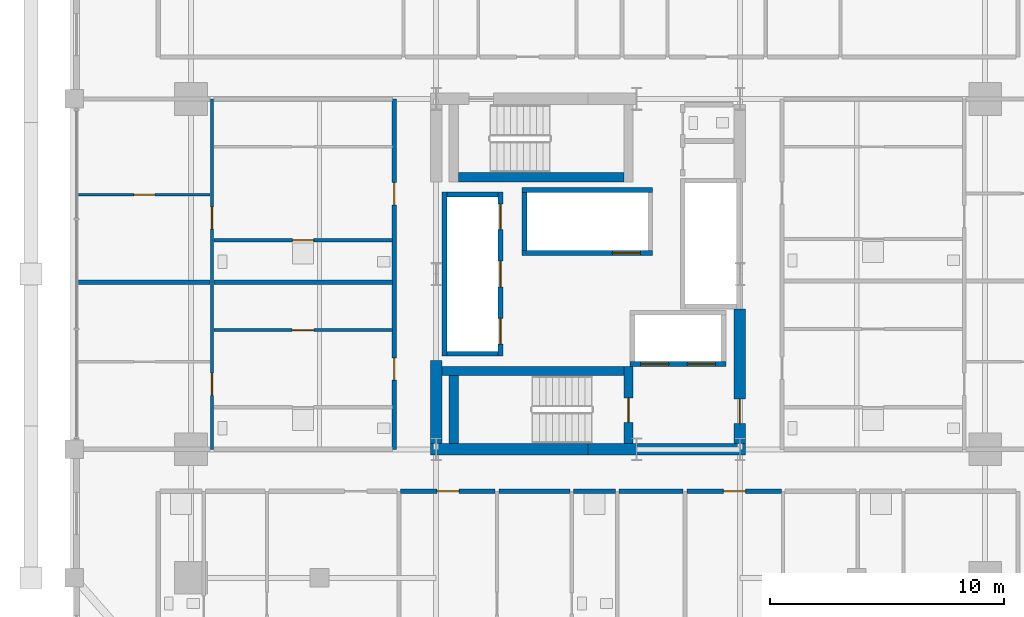
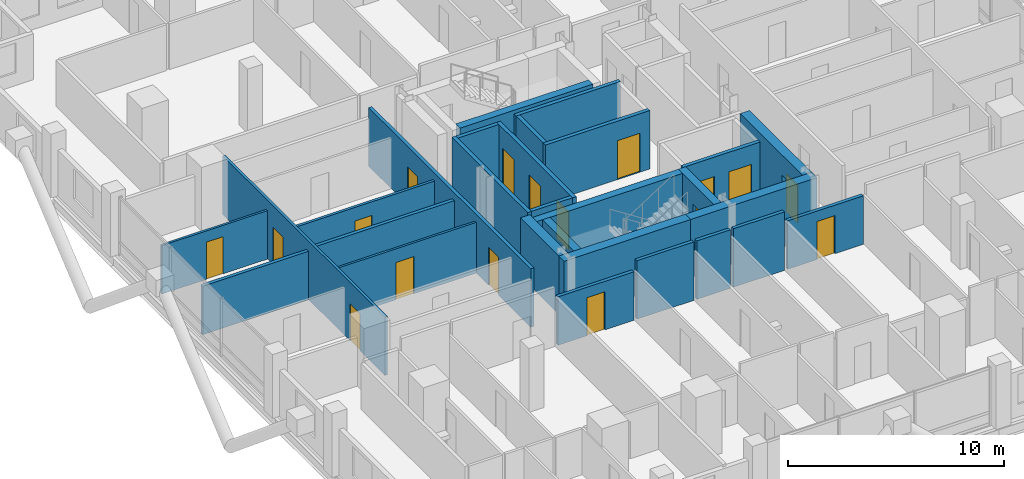
# One storey, part 18 of 24: 28 walls, 17 doors, 17 openings.
"""IFC4 building model written with IfcOpenShell, lengths in metres."""

from ifc_helpers import new_model, si_unit, direction, frame, frame_2d, origin, place, context, subcontext, project, spatial, rectangle, extrude, material, layer, layer_set, type_object, element, fill, save


model = new_model("IFC4")

# Units and contexts
model_context = context("Model", 3, precision=1e-05, world=origin(), true_north=direction((0.0, 1.0)))
body_context = subcontext(model_context, "Body", "Model", "MODEL_VIEW")
ifc_project = project(units=[si_unit("LENGTHUNIT", "METRE"), si_unit("AREAUNIT", "SQUARE_METRE"), si_unit("VOLUMEUNIT", "CUBIC_METRE"), si_unit("PLANEANGLEUNIT", "RADIAN"), si_unit("MASSUNIT", "GRAM", prefix="KILO")], contexts=[model_context])

# Site, building, storey
site_placement = place(None, origin())
site = spatial("IfcSite", under=ifc_project, at=site_placement, CompositionType="ELEMENT")
building_placement = place(site_placement, origin())
building = spatial("IfcBuilding", under=site, at=building_placement, Name="Barlavira Tower and Art Museum", CompositionType="ELEMENT")
storey_placement = place(building_placement, frame((0.0, 0.0, 90.0)))
storey = spatial("IfcBuildingStorey", under=building, at=storey_placement, Name="L22", CompositionType="ELEMENT", Elevation=90.0)

# Wall, opening, door
ifc_material_1 = material(Name="Gypsum acoustic stud partition", Category="gypsum")
ifc_layer_1 = layer(ifc_material_1, 0.1201171875, Name="Gypsum acoustic stud partition")
ifc_layer_set_1 = layer_set([ifc_layer_1], Name="Gypsum acoustic stud partition")
wall_type_1 = type_object("IfcWallType", Name="Apartment Internal Acoustic Partition 120", PredefinedType="PARTITIONING", material=ifc_layer_set_1)
wall_1_placement = place(storey_placement, frame((-16.02001953125, -2.39990234375, 0.0), z_axis=(0.0, 0.0, 1.0), x_axis=(1.0, 0.0, 0.0)))
wall_1 = element("IfcWall", 1, at=wall_1_placement, inside=storey, type_object=wall_type_1, Name="L22 Partition Wall 66", PredefinedType="PARTITIONING", context=body_context, shape_type="SweptSolid", body=[
    extrude(rectangle(XDim=7.64013671875, YDim=0.1201171875, at=frame_2d((3.820068359375, 0.0))), origin(), (0.0, 0.0, 1.0), 2.867919921875),
])
opening_1_placement = place(wall_1_placement, frame((3.344970703125, 0.0, 0.0)))
opening_1 = element("IfcOpeningElement", 2, at=opening_1_placement, cuts=wall_1, Name="Opening D-02", PredefinedType="OPENING", context=body_context, shape_type="SweptSolid", body=[
    extrude(rectangle(XDim=0.949951171875, YDim=2.10009765625, at=frame_2d((0.47509765625, 1.050048828125))), frame((0.0, 0.070068359375, 0.0), z_axis=(0.0, -1.0, 0.0), x_axis=(1.0, 0.0, 0.0)), (0.0, 0.0, 1.0), 0.14013671875),
])
ifc_material_2 = material(Name="Engineered coastal hardwood", Category="wood")
door_type_1 = type_object("IfcDoorType", Name="Living and Salon Glazed-Leaf Door 950x2100", OperationType="NOTDEFINED", PredefinedType="DOOR", material=ifc_material_2)
door_1_placement = place(opening_1_placement, origin())
door_1 = element("IfcDoor", 3, at=door_1_placement, inside=storey, type_object=door_type_1, Name="Apartment W1 Kitchen Door", OperationType="SINGLE_SWING_RIGHT", OverallHeight=2.10009765625, OverallWidth=0.949951171875, PredefinedType="DOOR", context=body_context, shape_type="SweptSolid", body=[
    extrude(rectangle(XDim=0.949951171875, YDim=2.10009765625, at=frame_2d((0.47509765625, 1.050048828125))), frame((0.0, 0.02490234375, 0.0), z_axis=(0.0, -1.0, 0.0), x_axis=(1.0, 0.0, 0.0)), (0.0, 0.0, 1.0), 0.050048828125),
])
fill(opening_1, door_1)

wall_2_placement = place(storey_placement, frame((-21.820068359375, 3.39990234375, 0.0), z_axis=(0.0, 0.0, 1.0), x_axis=(1.0, 0.0, 0.0)))
wall_2 = element("IfcWall", 4, at=wall_2_placement, inside=storey, type_object=wall_type_1, Name="L22 Partition Wall 74", PredefinedType="PARTITIONING", context=body_context, shape_type="SweptSolid", body=[
    extrude(rectangle(XDim=5.64013671875, YDim=0.1201171875, at=frame_2d((2.820068359375, 0.0))), origin(), (0.0, 0.0, 1.0), 2.736083984375),
])
opening_2_placement = place(wall_2_placement, frame((2.3701171875, 0.0, 0.0)))
opening_2 = element("IfcOpeningElement", 5, at=opening_2_placement, cuts=wall_2, Name="Opening D-01", PredefinedType="OPENING", context=body_context, shape_type="SweptSolid", body=[
    extrude(rectangle(XDim=0.89990234375, YDim=2.10009765625, at=frame_2d((0.449951171875, 1.050048828125))), frame((0.0, 0.070068359375, 0.0), z_axis=(0.0, -1.0, 0.0), x_axis=(1.0, 0.0, 0.0)), (0.0, 0.0, 1.0), 0.14013671875),
])
door_type_2 = type_object("IfcDoorType", Name="Internal Bedroom Timber Flush Door 900x2100", OperationType="NOTDEFINED", PredefinedType="DOOR", material=ifc_material_2)
door_2_placement = place(opening_2_placement, origin())
door_2 = element("IfcDoor", 6, at=door_2_placement, inside=storey, type_object=door_type_2, Name="Apartment W2 Bedroom 1 Door", OperationType="SINGLE_SWING_LEFT", OverallHeight=2.10009765625, OverallWidth=0.89990234375, PredefinedType="DOOR", context=body_context, shape_type="SweptSolid", body=[
    extrude(rectangle(XDim=0.89990234375, YDim=2.10009765625, at=frame_2d((0.449951171875, 1.050048828125))), frame((0.0, 0.02490234375, 0.0), z_axis=(0.0, -1.0, 0.0), x_axis=(1.0, 0.0, 0.0)), (0.0, 0.0, 1.0), 0.050048828125),
])
fill(opening_2, door_2)

# Walls
ifc_material_3 = material(Name="Concrete C60", Category="concrete")
ifc_layer_2 = layer(ifc_material_3, 0.5, Name="Concrete C60")
ifc_layer_set_2 = layer_set([ifc_layer_2], Name="Concrete C60")
wall_type_2 = type_object("IfcWallType", Name="Core Structural Shear Wall 500 Concrete C60", PredefinedType="SHEAR", material=ifc_layer_set_2)
for number, where, z_axis, x_axis, name in (
    (7, (-6.75, -7.5, 0.0), (0.0, 0.0, 1.0), (1.0, 0.0, 0.0), "L22 Core Shear Wall CS-SW"),
    (8, (0.0, -7.5, 0.0), (0.0, 0.0, 1.0), (1.0, 0.0, 0.0), "L22 Core Shear Wall CS-SE"),
):
    element("IfcWall", number, at=place(storey_placement, frame(where, z_axis=z_axis, x_axis=x_axis)), inside=storey, type_object=wall_type_2, Name=name, PredefinedType="SHEAR", context=body_context, shape_type="SweptSolid", body=[
        extrude(rectangle(XDim=6.75, YDim=0.5, at=frame_2d((3.375, 0.0))), origin(), (0.0, 0.0, 1.0), 3.300048828125),
    ])
wall_3_placement = place(storey_placement, frame((-6.5, -7.25, 0.0), z_axis=(0.0, 0.0, 1.0), x_axis=(0.0, 1.0, 0.0)))
element("IfcWall", 9, at=wall_3_placement, inside=storey, type_object=wall_type_2, Name="L22 Core Shear Wall CS-W1", PredefinedType="SHEAR", context=body_context, shape_type="SweptSolid", body=[
    extrude(rectangle(XDim=3.550048828125, YDim=0.5, at=frame_2d((1.77490234375, 0.0))), origin(), (0.0, 0.0, 1.0), 3.300048828125),
])

# Wall, opening, door
wall_4_placement = place(storey_placement, frame((6.5, -7.25, 0.0), z_axis=(0.0, 0.0, 1.0), x_axis=(0.0, 1.0, 0.0)))
wall_4 = element("IfcWall", 10, at=wall_4_placement, inside=storey, type_object=wall_type_2, Name="L22 Core Shear Wall CS-E1", PredefinedType="SHEAR", context=body_context, shape_type="SweptSolid", body=[
    extrude(rectangle(XDim=5.75, YDim=0.5, at=frame_2d((2.875, 0.0))), origin(), (0.0, 0.0, 1.0), 3.300048828125),
])
opening_3_placement = place(wall_4_placement, frame((0.85009765625, 0.0, 0.0)))
opening_3 = element("IfcOpeningElement", 11, at=opening_3_placement, cuts=wall_4, Name="Opening FD-90", PredefinedType="OPENING", context=body_context, shape_type="SweptSolid", body=[
    extrude(rectangle(XDim=1.050048828125, YDim=2.14990234375, at=frame_2d((0.52490234375, 1.074951171875))), frame((0.0, 0.260009765625, 0.0), z_axis=(0.0, -1.0, 0.0), x_axis=(1.0, 0.0, 0.0)), (0.0, 0.0, 1.0), 0.52001953125),
])
ifc_material_4 = material(Name="Brushed stainless steel", Category="steel")
door_type_3 = type_object("IfcDoorType", Name="Stair and Refuge Fire Door 1050x2150 FD90S", OperationType="NOTDEFINED", PredefinedType="DOOR", material=ifc_material_4)
door_3_placement = place(opening_3_placement, origin())
door_3 = element("IfcDoor", 12, at=door_3_placement, inside=storey, type_object=door_type_3, Name="L22 Firefighting Lobby Entry Fire Door", OperationType="SINGLE_SWING_LEFT", OverallHeight=2.14990234375, OverallWidth=1.050048828125, PredefinedType="DOOR", context=body_context, shape_type="SweptSolid", body=[
    extrude(rectangle(XDim=1.050048828125, YDim=2.14990234375, at=frame_2d((0.52490234375, 1.074951171875))), frame((0.0, 0.02490234375, 0.0), z_axis=(0.0, -1.0, 0.0), x_axis=(1.0, 0.0, 0.0)), (0.0, 0.0, 1.0), 0.050048828125),
])
fill(opening_3, door_3)

# Wall, openings, doors
ifc_material_5 = material(Name="Autoclaved aerated concrete masonry", Category="masonry")
ifc_layer_3 = layer(ifc_material_5, 0.199951171875, Name="Autoclaved aerated concrete masonry")
ifc_layer_set_3 = layer_set([ifc_layer_3], Name="Autoclaved aerated concrete masonry")
wall_type_3 = type_object("IfcWallType", Name="Fire Compartment and Shaft Wall 200", PredefinedType="SOLIDWALL", material=ifc_layer_set_3)
wall_5_placement = place(storey_placement, frame((-3.75, -3.510009765625, 0.0), z_axis=(0.0, 0.0, 1.0), x_axis=(0.0, 1.0, 0.0)))
wall_5 = element("IfcWall", 13, at=wall_5_placement, inside=storey, type_object=wall_type_3, Name="L22 Low-Rise Lift Front Shaft Wall", PredefinedType="SOLIDWALL", context=body_context, shape_type="SweptSolid", body=[
    extrude(rectangle(XDim=7.02001953125, YDim=0.199951171875, at=frame_2d((3.510009765625, 0.0))), origin(), (0.0, 0.0, 1.0), 3.300048828125),
])
opening_4_placement = place(wall_5_placement, frame((0.510009765625, 0.0, 0.0)))
opening_4 = element("IfcOpeningElement", 14, at=opening_4_placement, cuts=wall_5, Name="Opening LD-P", PredefinedType="OPENING", context=body_context, shape_type="SweptSolid", body=[
    extrude(rectangle(XDim=1.10009765625, YDim=2.14990234375, at=frame_2d((0.550048828125, 1.074951171875))), frame((0.0, 0.10986328125, 0.0), z_axis=(0.0, -1.0, 0.0), x_axis=(1.0, 0.0, 0.0)), (0.0, 0.0, 1.0), 0.219970703125),
])
opening_5_placement = place(wall_5_placement, frame((2.9599609375, 0.0, 0.0)))
opening_5 = element("IfcOpeningElement", 15, at=opening_5_placement, cuts=wall_5, Name="Opening LD-P", PredefinedType="OPENING", context=body_context, shape_type="SweptSolid", body=[
    extrude(rectangle(XDim=1.10009765625, YDim=2.14990234375, at=frame_2d((0.550048828125, 1.074951171875))), frame((0.0, 0.10986328125, 0.0), z_axis=(0.0, -1.0, 0.0), x_axis=(1.0, 0.0, 0.0)), (0.0, 0.0, 1.0), 0.219970703125),
])
opening_6_placement = place(wall_5_placement, frame((5.409912109375, 0.0, 0.0)))
opening_6 = element("IfcOpeningElement", 16, at=opening_6_placement, cuts=wall_5, Name="Opening LD-P", PredefinedType="OPENING", context=body_context, shape_type="SweptSolid", body=[
    extrude(rectangle(XDim=1.10009765625, YDim=2.14990234375, at=frame_2d((0.550048828125, 1.074951171875))), frame((0.0, 0.10986328125, 0.0), z_axis=(0.0, -1.0, 0.0), x_axis=(1.0, 0.0, 0.0)), (0.0, 0.0, 1.0), 0.219970703125),
])
door_type_4 = type_object("IfcDoorType", Name="Passenger Lift Sliding Landing Door 1100x2150 FD60", OperationType="NOTDEFINED", PredefinedType="DOOR", material=ifc_material_4)
door_4_placement = place(opening_4_placement, origin())
door_4 = element("IfcDoor", 17, at=door_4_placement, inside=storey, type_object=door_type_4, Name="L22 Lift PL1 Sliding Landing Door", OperationType="DOUBLE_DOOR_SLIDING", OverallHeight=2.14990234375, OverallWidth=1.10009765625, PredefinedType="DOOR", context=body_context, shape_type="SweptSolid", body=[
    extrude(rectangle(XDim=1.10009765625, YDim=2.14990234375, at=frame_2d((0.550048828125, 1.074951171875))), frame((0.0, 0.02490234375, 0.0), z_axis=(0.0, -1.0, 0.0), x_axis=(1.0, 0.0, 0.0)), (0.0, 0.0, 1.0), 0.050048828125),
])
fill(opening_4, door_4)
door_5_placement = place(opening_5_placement, origin())
door_5 = element("IfcDoor", 18, at=door_5_placement, inside=storey, type_object=door_type_4, Name="L22 Lift PL2 Sliding Landing Door", OperationType="DOUBLE_DOOR_SLIDING", OverallHeight=2.14990234375, OverallWidth=1.10009765625, PredefinedType="DOOR", context=body_context, shape_type="SweptSolid", body=[
    extrude(rectangle(XDim=1.10009765625, YDim=2.14990234375, at=frame_2d((0.550048828125, 1.074951171875))), frame((0.0, 0.02490234375, 0.0), z_axis=(0.0, -1.0, 0.0), x_axis=(1.0, 0.0, 0.0)), (0.0, 0.0, 1.0), 0.050048828125),
])
fill(opening_5, door_5)
door_6_placement = place(opening_6_placement, origin())
door_6 = element("IfcDoor", 19, at=door_6_placement, inside=storey, type_object=door_type_4, Name="L22 Lift PL3 Sliding Landing Door", OperationType="DOUBLE_DOOR_SLIDING", OverallHeight=2.14990234375, OverallWidth=1.10009765625, PredefinedType="DOOR", context=body_context, shape_type="SweptSolid", body=[
    extrude(rectangle(XDim=1.10009765625, YDim=2.14990234375, at=frame_2d((0.550048828125, 1.074951171875))), frame((0.0, 0.02490234375, 0.0), z_axis=(0.0, -1.0, 0.0), x_axis=(1.0, 0.0, 0.0)), (0.0, 0.0, 1.0), 0.050048828125),
])
fill(opening_6, door_6)

# Walls
wall_6_placement = place(storey_placement, frame((-6.14990234375, -3.510009765625, 0.0), z_axis=(0.0, 0.0, 1.0), x_axis=(0.0, 1.0, 0.0)))
element("IfcWall", 20, at=wall_6_placement, inside=storey, type_object=wall_type_3, Name="L22 Low-Rise Lift Back Shaft Wall", PredefinedType="SOLIDWALL", context=body_context, shape_type="SweptSolid", body=[
    extrude(rectangle(XDim=7.02001953125, YDim=0.199951171875, at=frame_2d((3.510009765625, 0.0))), origin(), (0.0, 0.0, 1.0), 3.300048828125),
])
for number, where, z_axis, x_axis, name in (
    (21, (-6.050048828125, -3.409912109375, 0.0), (0.0, 0.0, 1.0), (1.0, 0.0, 0.0), "L22 Low-Rise Lift South Shaft Wall"),
    (22, (-6.050048828125, 3.409912109375, 0.0), (0.0, 0.0, 1.0), (1.0, 0.0, 0.0), "L22 Low-Rise Lift North Shaft Wall"),
):
    element("IfcWall", number, at=place(storey_placement, frame(where, z_axis=z_axis, x_axis=x_axis)), inside=storey, type_object=wall_type_3, Name=name, PredefinedType="SOLIDWALL", context=body_context, shape_type="SweptSolid", body=[
        extrude(rectangle(XDim=2.199951171875, YDim=0.199951171875, at=frame_2d((1.10009765625, 0.0))), origin(), (0.0, 0.0, 1.0), 3.300048828125),
    ])

# Wall, opening, door
wall_7_placement = place(storey_placement, frame((-2.820068359375, 0.89990234375, 0.0), z_axis=(0.0, 0.0, 1.0), x_axis=(1.0, 0.0, 0.0)))
wall_7 = element("IfcWall", 23, at=wall_7_placement, inside=storey, type_object=wall_type_3, Name="L22 High-Rise & Service Lift Front Wall", PredefinedType="SOLIDWALL", context=body_context, shape_type="SweptSolid", body=[
    extrude(rectangle(XDim=5.580078125, YDim=0.199951171875, at=frame_2d((2.7900390625, 0.0))), origin(), (0.0, 0.0, 1.0), 3.300048828125),
])
opening_7_placement = place(wall_7_placement, frame((3.860107421875, 0.0, 0.0)))
opening_7 = element("IfcOpeningElement", 24, at=opening_7_placement, cuts=wall_7, Name="Opening LD-F", PredefinedType="OPENING", context=body_context, shape_type="SweptSolid", body=[
    extrude(rectangle(XDim=1.199951171875, YDim=2.199951171875, at=frame_2d((0.60009765625, 1.10009765625))), frame((0.0, 0.10986328125, 0.0), z_axis=(0.0, -1.0, 0.0), x_axis=(1.0, 0.0, 0.0)), (0.0, 0.0, 1.0), 0.219970703125),
])
door_type_5 = type_object("IfcDoorType", Name="Firefighting and Service Lift Sliding Door 1200x2200 FD120", OperationType="NOTDEFINED", PredefinedType="DOOR", material=ifc_material_4)
door_7_placement = place(opening_7_placement, origin())
door_7 = element("IfcDoor", 25, at=door_7_placement, inside=storey, type_object=door_type_5, Name="L22 Stretcher Service Lift SL1 Sliding Door", OperationType="DOUBLE_DOOR_SLIDING", OverallHeight=2.199951171875, OverallWidth=1.199951171875, PredefinedType="DOOR", context=body_context, shape_type="SweptSolid", body=[
    extrude(rectangle(XDim=1.199951171875, YDim=2.199951171875, at=frame_2d((0.60009765625, 1.10009765625))), frame((0.0, 0.02490234375, 0.0), z_axis=(0.0, -1.0, 0.0), x_axis=(1.0, 0.0, 0.0)), (0.0, 0.0, 1.0), 0.050048828125),
])
fill(opening_7, door_7)

# Walls
wall_8_placement = place(storey_placement, frame((-2.820068359375, 3.60009765625, 0.0), z_axis=(0.0, 0.0, 1.0), x_axis=(1.0, 0.0, 0.0)))
element("IfcWall", 26, at=wall_8_placement, inside=storey, type_object=wall_type_3, Name="L22 High-Rise & Service Lift Back Wall", PredefinedType="SOLIDWALL", context=body_context, shape_type="SweptSolid", body=[
    extrude(rectangle(XDim=5.580078125, YDim=0.199951171875, at=frame_2d((2.7900390625, 0.0))), origin(), (0.0, 0.0, 1.0), 3.300048828125),
])
wall_9_placement = place(storey_placement, frame((-2.719970703125, 1.0, 0.0), z_axis=(0.0, 0.0, 1.0), x_axis=(0.0, 1.0, 0.0)))
element("IfcWall", 27, at=wall_9_placement, inside=storey, type_object=wall_type_3, Name="L22 High-Rise & Service Lift West Wall", PredefinedType="SOLIDWALL", context=body_context, shape_type="SweptSolid", body=[
    extrude(rectangle(XDim=2.5, YDim=0.199951171875, at=frame_2d((1.25, 0.0))), origin(), (0.0, 0.0, 1.0), 3.300048828125),
])

# Wall, openings, doors
wall_10_placement = place(storey_placement, frame((1.800048828125, -3.85009765625, 0.0), z_axis=(0.0, 0.0, 1.0), x_axis=(1.0, 0.0, 0.0)))
wall_10 = element("IfcWall", 28, at=wall_10_placement, inside=storey, type_object=wall_type_3, Name="L22 Firefighting Lift Front Shaft Wall", PredefinedType="SOLIDWALL", context=body_context, shape_type="SweptSolid", body=[
    extrude(rectangle(XDim=4.099853515625, YDim=0.199951171875, at=frame_2d((2.0498046875, 0.0))), origin(), (0.0, 0.0, 1.0), 3.300048828125),
])
opening_8_placement = place(wall_10_placement, frame((0.449951171875, 0.0, 0.0)))
opening_8 = element("IfcOpeningElement", 29, at=opening_8_placement, cuts=wall_10, Name="Opening LD-F", PredefinedType="OPENING", context=body_context, shape_type="SweptSolid", body=[
    extrude(rectangle(XDim=1.199951171875, YDim=2.199951171875, at=frame_2d((0.60009765625, 1.10009765625))), frame((0.0, 0.10986328125, 0.0), z_axis=(0.0, -1.0, 0.0), x_axis=(1.0, 0.0, 0.0)), (0.0, 0.0, 1.0), 0.219970703125),
])
opening_9_placement = place(wall_10_placement, frame((2.449951171875, 0.0, 0.0)))
opening_9 = element("IfcOpeningElement", 30, at=opening_9_placement, cuts=wall_10, Name="Opening LD-F", PredefinedType="OPENING", context=body_context, shape_type="SweptSolid", body=[
    extrude(rectangle(XDim=1.199951171875, YDim=2.199951171875, at=frame_2d((0.60009765625, 1.10009765625))), frame((0.0, 0.10986328125, 0.0), z_axis=(0.0, -1.0, 0.0), x_axis=(1.0, 0.0, 0.0)), (0.0, 0.0, 1.0), 0.219970703125),
])
door_8_placement = place(opening_8_placement, origin())
door_8 = element("IfcDoor", 31, at=door_8_placement, inside=storey, type_object=door_type_5, Name="L22 Firefighting Lift FF1 Sliding Door", OperationType="DOUBLE_DOOR_SLIDING", OverallHeight=2.199951171875, OverallWidth=1.199951171875, PredefinedType="DOOR", context=body_context, shape_type="SweptSolid", body=[
    extrude(rectangle(XDim=1.199951171875, YDim=2.199951171875, at=frame_2d((0.60009765625, 1.10009765625))), frame((0.0, 0.02490234375, 0.0), z_axis=(0.0, -1.0, 0.0), x_axis=(1.0, 0.0, 0.0)), (0.0, 0.0, 1.0), 0.050048828125),
])
fill(opening_8, door_8)
door_9_placement = place(opening_9_placement, origin())
door_9 = element("IfcDoor", 32, at=door_9_placement, inside=storey, type_object=door_type_5, Name="L22 Firefighting Lift FF2 Sliding Door", OperationType="DOUBLE_DOOR_SLIDING", OverallHeight=2.199951171875, OverallWidth=1.199951171875, PredefinedType="DOOR", context=body_context, shape_type="SweptSolid", body=[
    extrude(rectangle(XDim=1.199951171875, YDim=2.199951171875, at=frame_2d((0.60009765625, 1.10009765625))), frame((0.0, 0.02490234375, 0.0), z_axis=(0.0, -1.0, 0.0), x_axis=(1.0, 0.0, 0.0)), (0.0, 0.0, 1.0), 0.050048828125),
])
fill(opening_9, door_9)

ifc_layer_4 = layer(ifc_material_1, 0.179931640625, Name="Gypsum acoustic stud partition")
ifc_layer_set_4 = layer_set([ifc_layer_4], Name="Gypsum acoustic stud partition")
wall_type_4 = type_object("IfcWallType", Name="Inter-Tenancy Party Partition Wall 180", PredefinedType="PARTITIONING", material=ifc_layer_set_4)
wall_11_placement = place(storey_placement, frame((-8.300048828125, -7.5, 0.0), z_axis=(0.0, 0.0, 1.0), x_axis=(0.0, 1.0, 0.0)))
wall_11 = element("IfcWall", 33, at=wall_11_placement, inside=storey, type_object=wall_type_4, Name="L22 Partition Wall 9", PredefinedType="PARTITIONING", context=body_context, shape_type="SweptSolid", body=[
    extrude(rectangle(XDim=15.0, YDim=0.179931640625, at=frame_2d((7.5, 0.0))), origin(), (0.0, 0.0, 1.0), 3.300048828125),
])
opening_10_placement = place(wall_11_placement, frame((2.965087890625, 0.0, 0.0)))
opening_10 = element("IfcOpeningElement", 34, at=opening_10_placement, cuts=wall_11, Name="Opening FD-60", PredefinedType="OPENING", context=body_context, shape_type="SweptSolid", body=[
    extrude(rectangle(XDim=0.949951171875, YDim=2.14990234375, at=frame_2d((0.47509765625, 1.074951171875))), frame((0.0, 0.10009765625, 0.0), z_axis=(0.0, -1.0, 0.0), x_axis=(1.0, 0.0, 0.0)), (0.0, 0.0, 1.0), 0.199951171875),
])
opening_11_placement = place(wall_11_placement, frame((10.465087890625, 0.0, 0.0)))
opening_11 = element("IfcOpeningElement", 35, at=opening_11_placement, cuts=wall_11, Name="Opening FD-60", PredefinedType="OPENING", context=body_context, shape_type="SweptSolid", body=[
    extrude(rectangle(XDim=0.949951171875, YDim=2.14990234375, at=frame_2d((0.47509765625, 1.074951171875))), frame((0.0, 0.10009765625, 0.0), z_axis=(0.0, -1.0, 0.0), x_axis=(1.0, 0.0, 0.0)), (0.0, 0.0, 1.0), 0.199951171875),
])
door_type_6 = type_object("IfcDoorType", Name="Apartment Entrance and Riser Fire Door 950x2150 FD60S", OperationType="NOTDEFINED", PredefinedType="DOOR", material=ifc_material_4)
door_10_placement = place(opening_10_placement, origin())
door_10 = element("IfcDoor", 36, at=door_10_placement, inside=storey, type_object=door_type_6, Name="Apartment Entrance Hall W1 Door", OperationType="SINGLE_SWING_LEFT", OverallHeight=2.14990234375, OverallWidth=0.949951171875, PredefinedType="DOOR", context=body_context, shape_type="SweptSolid", body=[
    extrude(rectangle(XDim=0.949951171875, YDim=2.14990234375, at=frame_2d((0.47509765625, 1.074951171875))), frame((0.0, 0.02490234375, 0.0), z_axis=(0.0, -1.0, 0.0), x_axis=(1.0, 0.0, 0.0)), (0.0, 0.0, 1.0), 0.050048828125),
])
fill(opening_10, door_10)
door_11_placement = place(opening_11_placement, origin())
door_11 = element("IfcDoor", 37, at=door_11_placement, inside=storey, type_object=door_type_6, Name="Apartment Entrance Hall W2 Door", OperationType="SINGLE_SWING_RIGHT", OverallHeight=2.14990234375, OverallWidth=0.949951171875, PredefinedType="DOOR", context=body_context, shape_type="SweptSolid", body=[
    extrude(rectangle(XDim=0.949951171875, YDim=2.14990234375, at=frame_2d((0.47509765625, 1.074951171875))), frame((0.0, 0.02490234375, 0.0), z_axis=(0.0, -1.0, 0.0), x_axis=(1.0, 0.0, 0.0)), (0.0, 0.0, 1.0), 0.050048828125),
])
fill(opening_11, door_11)

# Wall, opening, door
wall_12_placement = place(storey_placement, frame((-8.02001953125, -9.300048828125, 0.0), z_axis=(0.0, 0.0, 1.0), x_axis=(1.0, 0.0, 0.0)))
wall_12 = element("IfcWall", 38, at=wall_12_placement, inside=storey, type_object=wall_type_4, Name="L22 Partition Wall 50", PredefinedType="PARTITIONING", context=body_context, shape_type="SweptSolid", body=[
    extrude(rectangle(XDim=4.0400390625, YDim=0.179931640625, at=frame_2d((2.02001953125, 0.0))), origin(), (0.0, 0.0, 1.0), 2.736083984375),
])
opening_12_placement = place(wall_12_placement, frame((1.544921875, 0.0, 0.0)))
opening_12 = element("IfcOpeningElement", 39, at=opening_12_placement, cuts=wall_12, Name="Opening FD-60", PredefinedType="OPENING", context=body_context, shape_type="SweptSolid", body=[
    extrude(rectangle(XDim=0.949951171875, YDim=2.14990234375, at=frame_2d((0.47509765625, 1.074951171875))), frame((0.0, 0.10009765625, 0.0), z_axis=(0.0, -1.0, 0.0), x_axis=(1.0, 0.0, 0.0)), (0.0, 0.0, 1.0), 0.199951171875),
])
door_12_placement = place(opening_12_placement, origin())
door_12 = element("IfcDoor", 40, at=door_12_placement, inside=storey, type_object=door_type_6, Name="Apartment Entrance Hall S2 Door", OperationType="SINGLE_SWING_RIGHT", OverallHeight=2.14990234375, OverallWidth=0.949951171875, PredefinedType="DOOR", context=body_context, shape_type="SweptSolid", body=[
    extrude(rectangle(XDim=0.949951171875, YDim=2.14990234375, at=frame_2d((0.47509765625, 1.074951171875))), frame((0.0, 0.02490234375, 0.0), z_axis=(0.0, -1.0, 0.0), x_axis=(1.0, 0.0, 0.0)), (0.0, 0.0, 1.0), 0.050048828125),
])
fill(opening_12, door_12)

# Walls
wall_13_placement = place(storey_placement, frame((-3.820068359375, -9.300048828125, 0.0), z_axis=(0.0, 0.0, 1.0), x_axis=(1.0, 0.0, 0.0)))
element("IfcWall", 41, at=wall_13_placement, inside=storey, type_object=wall_type_4, Name="L22 Partition Wall 51", PredefinedType="PARTITIONING", context=body_context, shape_type="SweptSolid", body=[
    extrude(rectangle(XDim=3.0400390625, YDim=0.179931640625, at=frame_2d((1.52001953125, 0.0))), origin(), (0.0, 0.0, 1.0), 3.300048828125),
])
wall_14_placement = place(storey_placement, frame((-0.6201171875, -9.300048828125, 0.0), z_axis=(0.0, 0.0, 1.0), x_axis=(1.0, 0.0, 0.0)))
element("IfcWall", 42, at=wall_14_placement, inside=storey, type_object=wall_type_4, Name="L22 Partition Wall 52", PredefinedType="PARTITIONING", context=body_context, shape_type="SweptSolid", body=[
    extrude(rectangle(XDim=1.7900390625, YDim=0.179931640625, at=frame_2d((0.89501953125, 0.0))), origin(), (0.0, 0.0, 1.0), 3.300048828125),
])
wall_15_placement = place(storey_placement, frame((1.330078125, -9.300048828125, 0.0), z_axis=(0.0, 0.0, 1.0), x_axis=(1.0, 0.0, 0.0)))
element("IfcWall", 43, at=wall_15_placement, inside=storey, type_object=wall_type_4, Name="L22 Partition Wall 53", PredefinedType="PARTITIONING", context=body_context, shape_type="SweptSolid", body=[
    extrude(rectangle(XDim=2.739990234375, YDim=0.179931640625, at=frame_2d((1.3701171875, 0.0))), origin(), (0.0, 0.0, 1.0), 3.300048828125),
])

# Wall, opening, door
wall_16_placement = place(storey_placement, frame((4.22998046875, -9.300048828125, 0.0), z_axis=(0.0, 0.0, 1.0), x_axis=(1.0, 0.0, 0.0)))
wall_16 = element("IfcWall", 44, at=wall_16_placement, inside=storey, type_object=wall_type_4, Name="L22 Partition Wall 54", PredefinedType="PARTITIONING", context=body_context, shape_type="SweptSolid", body=[
    extrude(rectangle(XDim=4.0400390625, YDim=0.179931640625, at=frame_2d((2.02001953125, 0.0))), origin(), (0.0, 0.0, 1.0), 2.736083984375),
])
opening_13_placement = place(wall_16_placement, frame((1.56494140625, 0.0, 0.0)))
opening_13 = element("IfcOpeningElement", 45, at=opening_13_placement, cuts=wall_16, Name="Opening FD-60", PredefinedType="OPENING", context=body_context, shape_type="SweptSolid", body=[
    extrude(rectangle(XDim=0.949951171875, YDim=2.14990234375, at=frame_2d((0.47509765625, 1.074951171875))), frame((0.0, 0.10009765625, 0.0), z_axis=(0.0, -1.0, 0.0), x_axis=(1.0, 0.0, 0.0)), (0.0, 0.0, 1.0), 0.199951171875),
])
door_13_placement = place(opening_13_placement, origin())
door_13 = element("IfcDoor", 46, at=door_13_placement, inside=storey, type_object=door_type_6, Name="Apartment Entrance Hall S3 Door", OperationType="SINGLE_SWING_LEFT", OverallHeight=2.14990234375, OverallWidth=0.949951171875, PredefinedType="DOOR", context=body_context, shape_type="SweptSolid", body=[
    extrude(rectangle(XDim=0.949951171875, YDim=2.14990234375, at=frame_2d((0.47509765625, 1.074951171875))), frame((0.0, 0.02490234375, 0.0), z_axis=(0.0, -1.0, 0.0), x_axis=(1.0, 0.0, 0.0)), (0.0, 0.0, 1.0), 0.050048828125),
])
fill(opening_13, door_13)

# Walls
wall_17_placement = place(storey_placement, frame((-21.820068359375, -0.35009765625, 0.0), z_axis=(0.0, 0.0, 1.0), x_axis=(1.0, 0.0, 0.0)))
element("IfcWall", 47, at=wall_17_placement, inside=storey, type_object=wall_type_4, Name="L22 Partition Wall 68", PredefinedType="PARTITIONING", context=body_context, shape_type="SweptSolid", body=[
    extrude(rectangle(XDim=5.64013671875, YDim=0.179931640625, at=frame_2d((2.820068359375, 0.0))), origin(), (0.0, 0.0, 1.0), 2.736083984375),
])
wall_18_placement = place(storey_placement, frame((-16.02001953125, -0.35009765625, 0.0), z_axis=(0.0, 0.0, 1.0), x_axis=(1.0, 0.0, 0.0)))
element("IfcWall", 48, at=wall_18_placement, inside=storey, type_object=wall_type_4, Name="L22 Partition Wall 69", PredefinedType="PARTITIONING", context=body_context, shape_type="SweptSolid", body=[
    extrude(rectangle(XDim=7.64013671875, YDim=0.179931640625, at=frame_2d((3.820068359375, 0.0))), origin(), (0.0, 0.0, 1.0), 2.867919921875),
])

# Wall, openings, doors
ifc_layer_5 = layer(ifc_material_1, 0.139892578125, Name="Gypsum acoustic stud partition")
ifc_layer_set_5 = layer_set([ifc_layer_5], Name="Gypsum acoustic stud partition")
wall_type_5 = type_object("IfcWallType", Name="Moisture-Resistant Bathroom Partition 140", PredefinedType="PARTITIONING", material=ifc_layer_set_5)
wall_19_placement = place(storey_placement, frame((-16.10009765625, -7.5, 0.0), z_axis=(0.0, 0.0, 1.0), x_axis=(0.0, 1.0, 0.0)))
wall_19 = element("IfcWall", 49, at=wall_19_placement, inside=storey, type_object=wall_type_5, Name="L22 Partition Wall 4", PredefinedType="PARTITIONING", context=body_context, shape_type="SweptSolid", body=[
    extrude(rectangle(XDim=15.0, YDim=0.139892578125, at=frame_2d((7.5, 0.0))), origin(), (0.0, 0.0, 1.0), 3.300048828125),
])
opening_14_placement = place(wall_19_placement, frame((2.304931640625, 0.0, 0.0)))
opening_14 = element("IfcOpeningElement", 50, at=opening_14_placement, cuts=wall_19, Name="Opening D-02", PredefinedType="OPENING", context=body_context, shape_type="SweptSolid", body=[
    extrude(rectangle(XDim=0.949951171875, YDim=2.10009765625, at=frame_2d((0.47509765625, 1.050048828125))), frame((0.0, 0.080078125, 0.0), z_axis=(0.0, -1.0, 0.0), x_axis=(1.0, 0.0, 0.0)), (0.0, 0.0, 1.0), 0.159912109375),
])
opening_15_placement = place(wall_19_placement, frame((9.425048828125, 0.0, 0.0)))
opening_15 = element("IfcOpeningElement", 51, at=opening_15_placement, cuts=wall_19, Name="Opening D-02", PredefinedType="OPENING", context=body_context, shape_type="SweptSolid", body=[
    extrude(rectangle(XDim=0.949951171875, YDim=2.10009765625, at=frame_2d((0.47509765625, 1.050048828125))), frame((0.0, 0.080078125, 0.0), z_axis=(0.0, -1.0, 0.0), x_axis=(1.0, 0.0, 0.0)), (0.0, 0.0, 1.0), 0.159912109375),
])
door_14_placement = place(opening_14_placement, origin())
door_14 = element("IfcDoor", 52, at=door_14_placement, inside=storey, type_object=door_type_1, Name="Apartment W1 Living Lounge Door", OperationType="SINGLE_SWING_LEFT", OverallHeight=2.10009765625, OverallWidth=0.949951171875, PredefinedType="DOOR", context=body_context, shape_type="SweptSolid", body=[
    extrude(rectangle(XDim=0.949951171875, YDim=2.10009765625, at=frame_2d((0.47509765625, 1.050048828125))), frame((0.0, 0.02490234375, 0.0), z_axis=(0.0, -1.0, 0.0), x_axis=(1.0, 0.0, 0.0)), (0.0, 0.0, 1.0), 0.050048828125),
])
fill(opening_14, door_14)
door_15_placement = place(opening_15_placement, origin())
door_15 = element("IfcDoor", 53, at=door_15_placement, inside=storey, type_object=door_type_1, Name="Apartment W2 Living Lounge Door", OperationType="SINGLE_SWING_RIGHT", OverallHeight=2.10009765625, OverallWidth=0.949951171875, PredefinedType="DOOR", context=body_context, shape_type="SweptSolid", body=[
    extrude(rectangle(XDim=0.949951171875, YDim=2.10009765625, at=frame_2d((0.47509765625, 1.050048828125))), frame((0.0, 0.02490234375, 0.0), z_axis=(0.0, -1.0, 0.0), x_axis=(1.0, 0.0, 0.0)), (0.0, 0.0, 1.0), 0.050048828125),
])
fill(opening_15, door_15)

# Wall, opening, door
wall_20_placement = place(storey_placement, frame((-16.02001953125, 1.449951171875, 0.0), z_axis=(0.0, 0.0, 1.0), x_axis=(1.0, 0.0, 0.0)))
wall_20 = element("IfcWall", 54, at=wall_20_placement, inside=storey, type_object=wall_type_5, Name="L22 Partition Wall 72", PredefinedType="PARTITIONING", context=body_context, shape_type="SweptSolid", body=[
    extrude(rectangle(XDim=7.64013671875, YDim=0.139892578125, at=frame_2d((3.820068359375, 0.0))), origin(), (0.0, 0.0, 1.0), 2.867919921875),
])
opening_16_placement = place(wall_20_placement, frame((3.3701171875, 0.0, 0.0)))
opening_16 = element("IfcOpeningElement", 55, at=opening_16_placement, cuts=wall_20, Name="Opening D-WC", PredefinedType="OPENING", context=body_context, shape_type="SweptSolid", body=[
    extrude(rectangle(XDim=0.89990234375, YDim=2.10009765625, at=frame_2d((0.449951171875, 1.050048828125))), frame((0.0, 0.080078125, 0.0), z_axis=(0.0, -1.0, 0.0), x_axis=(1.0, 0.0, 0.0)), (0.0, 0.0, 1.0), 0.159912109375),
])
door_type_7 = type_object("IfcDoorType", Name="Accessible Bathroom Flush Door 900x2100", OperationType="NOTDEFINED", PredefinedType="DOOR", material=ifc_material_2)
door_16_placement = place(opening_16_placement, origin())
door_16 = element("IfcDoor", 56, at=door_16_placement, inside=storey, type_object=door_type_7, Name="Apartment W2 Hall Bathroom Door", OperationType="SINGLE_SWING_LEFT", OverallHeight=2.10009765625, OverallWidth=0.89990234375, PredefinedType="DOOR", context=body_context, shape_type="SweptSolid", body=[
    extrude(rectangle(XDim=0.89990234375, YDim=2.10009765625, at=frame_2d((0.449951171875, 1.050048828125))), frame((0.0, 0.02490234375, 0.0), z_axis=(0.0, -1.0, 0.0), x_axis=(1.0, 0.0, 0.0)), (0.0, 0.0, 1.0), 0.050048828125),
])
fill(opening_16, door_16)

# Walls
ifc_material_6 = material(Name="Concrete C55", Category="concrete")
ifc_layer_6 = layer(ifc_material_6, 0.39990234375, Name="Concrete C55")
ifc_layer_set_6 = layer_set([ifc_layer_6], Name="Concrete C55")
wall_type_6 = type_object("IfcWallType", Name="Upper Core Shear Wall 400 Concrete C55", PredefinedType="SHEAR", material=ifc_layer_set_6)
wall_21_placement = place(storey_placement, frame((-5.75, -7.25, 0.0), z_axis=(0.0, 0.0, 1.0), x_axis=(0.0, 1.0, 0.0)))
element("IfcWall", 57, at=wall_21_placement, inside=storey, type_object=wall_type_6, Name="L22 ST-T1 West Half-Landing Wall", PredefinedType="SHEAR", context=body_context, shape_type="SweptSolid", body=[
    extrude(rectangle(XDim=2.89990234375, YDim=0.39990234375, at=frame_2d((1.449951171875, 0.0))), origin(), (0.0, 0.0, 1.0), 3.300048828125),
])
wall_22_placement = place(storey_placement, frame((-6.25, -4.14990234375, 0.0), z_axis=(0.0, 0.0, 1.0), x_axis=(1.0, 0.0, 0.0)))
element("IfcWall", 58, at=wall_22_placement, inside=storey, type_object=wall_type_6, Name="L22 ST-T1 North Shaft Wall", PredefinedType="SHEAR", context=body_context, shape_type="SweptSolid", body=[
    extrude(rectangle(XDim=7.780029296875, YDim=0.39990234375, at=frame_2d((3.89013671875, 0.0))), origin(), (0.0, 0.0, 1.0), 3.300048828125),
])

# Wall, opening, door
wall_23_placement = place(storey_placement, frame((1.72998046875, -7.25, 0.0), z_axis=(0.0, 0.0, 1.0), x_axis=(0.0, 1.0, 0.0)))
wall_23 = element("IfcWall", 59, at=wall_23_placement, inside=storey, type_object=wall_type_6, Name="L22 ST-T1 East Landing Wall", PredefinedType="SHEAR", context=body_context, shape_type="SweptSolid", body=[
    extrude(rectangle(XDim=3.300048828125, YDim=0.39990234375, at=frame_2d((1.64990234375, 0.0))), origin(), (0.0, 0.0, 1.0), 3.300048828125),
])
opening_17_placement = place(wall_23_placement, frame((0.89990234375, 0.0, 0.0)))
opening_17 = element("IfcOpeningElement", 60, at=opening_17_placement, cuts=wall_23, Name="Opening FD-90", PredefinedType="OPENING", context=body_context, shape_type="SweptSolid", body=[
    extrude(rectangle(XDim=1.050048828125, YDim=2.14990234375, at=frame_2d((0.52490234375, 1.074951171875))), frame((0.0, 0.2099609375, 0.0), z_axis=(0.0, -1.0, 0.0), x_axis=(1.0, 0.0, 0.0)), (0.0, 0.0, 1.0), 0.419921875),
])
door_17_placement = place(opening_17_placement, origin())
door_17 = element("IfcDoor", 61, at=door_17_placement, inside=storey, type_object=door_type_3, Name="L22 Stair ST-T1 Fire Door", OperationType="SINGLE_SWING_RIGHT", OverallHeight=2.14990234375, OverallWidth=1.050048828125, PredefinedType="DOOR", context=body_context, shape_type="SweptSolid", body=[
    extrude(rectangle(XDim=1.050048828125, YDim=2.14990234375, at=frame_2d((0.52490234375, 1.074951171875))), frame((0.0, 0.02490234375, 0.0), z_axis=(0.0, -1.0, 0.0), x_axis=(1.0, 0.0, 0.0)), (0.0, 0.0, 1.0), 0.050048828125),
])
fill(opening_17, door_17)

# Wall
wall_24_placement = place(storey_placement, frame((-5.550048828125, 4.14990234375, 0.0), z_axis=(0.0, 0.0, 1.0), x_axis=(1.0, 0.0, 0.0)))
element("IfcWall", 62, at=wall_24_placement, inside=storey, type_object=wall_type_6, Name="L22 ST-T2 South Shaft Wall", PredefinedType="SHEAR", context=body_context, shape_type="SweptSolid", body=[
    extrude(rectangle(XDim=7.080078125, YDim=0.39990234375, at=frame_2d((3.5400390625, 0.0))), origin(), (0.0, 0.0, 1.0), 3.300048828125),
])

save(model, "model.ifc")
